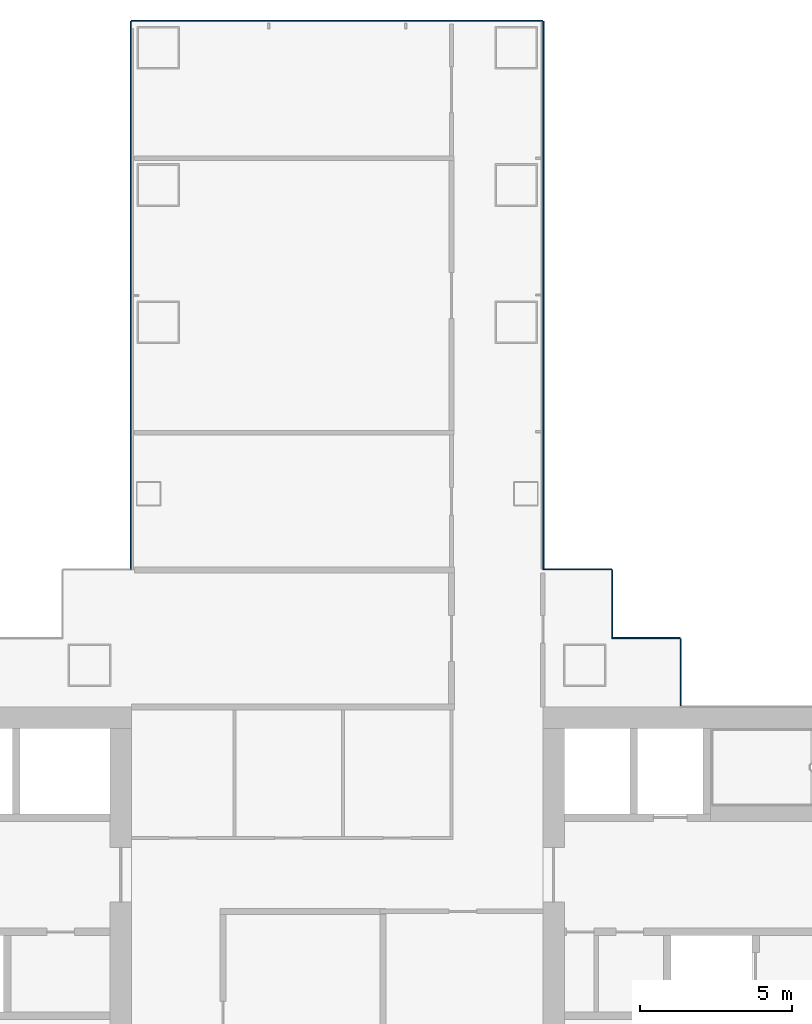
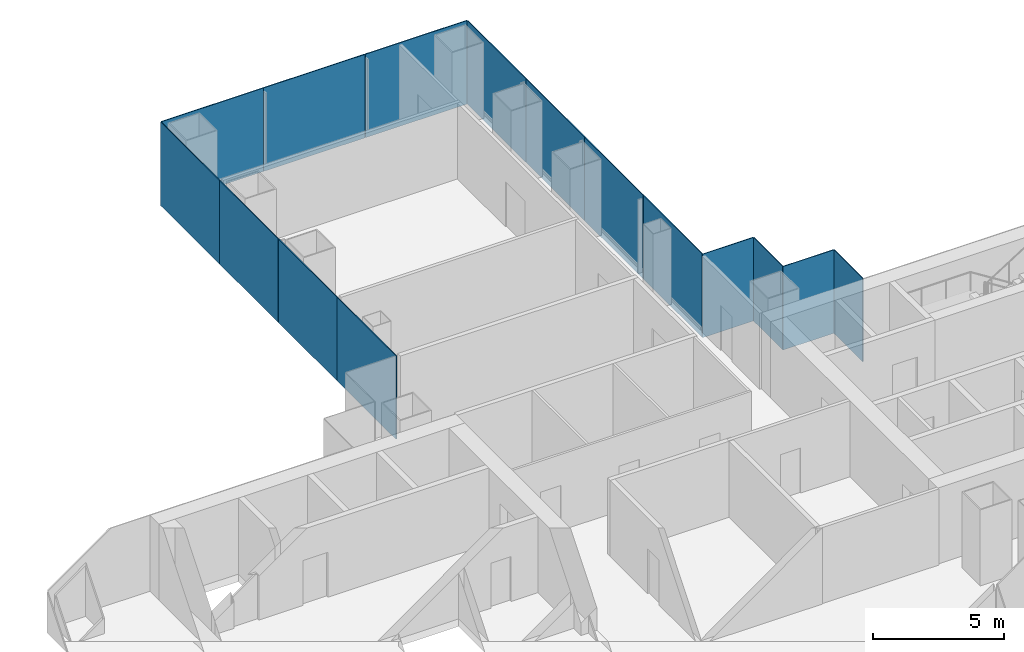
# One storey, part 12 of 21: 15 plates, 4 elements without a shape of their own.
"""IFC4 building model written with IfcOpenShell, lengths in metres."""

from ifc_helpers import new_model, si_unit, direction, frame, origin, origin_2d, place, context, subcontext, project, spatial, rectangle, extrude, material, layer, layer_set, type_object, element, aggregate, save


model = new_model("IFC4")

# Units and contexts
model_context = context("Model", 3, precision=1e-05, world=origin(), true_north=direction((0.0, 1.0)))
body_context = subcontext(model_context, "Body", "Model", "MODEL_VIEW")
ifc_project = project(units=[si_unit("LENGTHUNIT", "METRE"), si_unit("AREAUNIT", "SQUARE_METRE"), si_unit("VOLUMEUNIT", "CUBIC_METRE"), si_unit("PLANEANGLEUNIT", "RADIAN"), si_unit("MASSUNIT", "GRAM", prefix="KILO")], contexts=[model_context])

# Site, building, storey
site_placement = place(None, origin())
site = spatial("IfcSite", under=ifc_project, at=site_placement, CompositionType="ELEMENT")
building_placement = place(site_placement, origin())
building = spatial("IfcBuilding", under=site, at=building_placement, Name="Shamsa Quay Exchange Towers", CompositionType="ELEMENT")
storey_placement = place(building_placement, frame((0.0, 0.0, 45.89990234375)))
storey = spatial("IfcBuildingStorey", under=building, at=storey_placement, Name="L09", CompositionType="ELEMENT", Elevation=45.89990234375)

# Curtain wall, plates
ifc_material_1 = material(Name="Aluminium EN AW-6063 T6, black anodised", Category="aluminium")
ifc_layer_1 = layer(ifc_material_1, 0.280029296875)
ifc_layer_set_1 = layer_set([ifc_layer_1], Name="CW-1 UNITISED VISION GLASS")
curtain_wall_type_1 = type_object("IfcCurtainWallType", Name="CW-1 UNITISED VISION GLASS", PredefinedType="NOTDEFINED", material=ifc_layer_set_1)
curtain_wall_1_placement = place(storey_placement, origin())
curtain_wall_1 = element("IfcCurtainWall", 1, at=curtain_wall_1_placement, inside=storey, type_object=curtain_wall_type_1, Name="CW1 T2-FLK-U+S L09", PredefinedType="NOTDEFINED")
ifc_material_2 = material(Name="Glass, laminated, dark tinted", Category="glass")
ifc_layer_2 = layer(ifc_material_2, 0.0400390625)
ifc_layer_set_2 = layer_set([ifc_layer_2], Name="CW-1 VISION GLASS 40")
plate_type_1 = type_object("IfcPlateType", Name="CW-1 VISION GLASS 40", PredefinedType="CURTAIN_PANEL", material=ifc_layer_set_2)
plate_1_placement = place(storey_placement, frame((40.52001953125, 13.53076171875, -0.349853515625), z_axis=(0.0, 0.0, 1.0), x_axis=(0.0, 1.0, 0.0)))
plate_1 = element("IfcPlate", 2, at=plate_1_placement, type_object=plate_type_1, Name="CW1 glass panel", PredefinedType="CURTAIN_PANEL", context=body_context, shape_type="SweptSolid", body=[
    extrude(rectangle(XDim=4.485595703125, YDim=0.0400390625, at=origin_2d()), origin(), (0.0, 0.0, 1.0), 3.89990234375),
])
plate_2_placement = place(storey_placement, frame((40.52001953125, 18.023681640625, -0.349853515625), z_axis=(0.0, 0.0, 1.0), x_axis=(0.0, 1.0, 0.0)))
plate_2 = element("IfcPlate", 3, at=plate_2_placement, type_object=plate_type_1, Name="CW1 glass panel", PredefinedType="CURTAIN_PANEL", context=body_context, shape_type="SweptSolid", body=[
    extrude(rectangle(XDim=4.48046875, YDim=0.0400390625, at=origin_2d()), origin(), (0.0, 0.0, 1.0), 3.89990234375),
])
plate_3_placement = place(storey_placement, frame((40.52001953125, 22.51416015625, -0.349853515625), z_axis=(0.0, 0.0, 1.0), x_axis=(0.0, 1.0, 0.0)))
plate_3 = element("IfcPlate", 4, at=plate_3_placement, type_object=plate_type_1, Name="CW1 glass panel", PredefinedType="CURTAIN_PANEL", context=body_context, shape_type="SweptSolid", body=[
    extrude(rectangle(XDim=4.48046875, YDim=0.0400390625, at=origin_2d()), origin(), (0.0, 0.0, 1.0), 3.89990234375),
])
plate_4_placement = place(storey_placement, frame((40.52001953125, 27.00732421875, -0.349853515625), z_axis=(0.0, 0.0, 1.0), x_axis=(0.0, 1.0, 0.0)))
plate_4 = element("IfcPlate", 5, at=plate_4_placement, type_object=plate_type_1, Name="CW1 glass panel", PredefinedType="CURTAIN_PANEL", context=body_context, shape_type="SweptSolid", body=[
    extrude(rectangle(XDim=4.485595703125, YDim=0.0400390625, at=origin_2d()), origin(), (0.0, 0.0, 1.0), 3.89990234375),
])
aggregate(curtain_wall_1, [plate_1, plate_2, plate_3, plate_4])

curtain_wall_2_placement = place(storey_placement, origin())
curtain_wall_2 = element("IfcCurtainWall", 6, at=curtain_wall_2_placement, inside=storey, type_object=curtain_wall_type_1, Name="CW1 T2-END-U+ L09", PredefinedType="NOTDEFINED")
plate_5_placement = place(storey_placement, frame((38.25244140625, 29.27001953125, -0.349853515625), z_axis=(0.0, 0.0, 1.0), x_axis=(-1.0, 0.0, 0.0)))
plate_5 = element("IfcPlate", 7, at=plate_5_placement, type_object=plate_type_1, Name="CW1 glass panel", PredefinedType="CURTAIN_PANEL", context=body_context, shape_type="SweptSolid", body=[
    extrude(rectangle(XDim=4.4951171875, YDim=0.0400390625, at=origin_2d()), origin(), (0.0, 0.0, 1.0), 3.89990234375),
])
plate_6_placement = place(storey_placement, frame((33.75, 29.27001953125, -0.349853515625), z_axis=(0.0, 0.0, 1.0), x_axis=(-1.0, 0.0, 0.0)))
plate_6 = element("IfcPlate", 8, at=plate_6_placement, type_object=plate_type_1, Name="CW1 glass panel", PredefinedType="CURTAIN_PANEL", context=body_context, shape_type="SweptSolid", body=[
    extrude(rectangle(XDim=4.489990234375, YDim=0.0400390625, at=origin_2d()), origin(), (0.0, 0.0, 1.0), 3.89990234375),
])
plate_7_placement = place(storey_placement, frame((29.24755859375, 29.27001953125, -0.349853515625), z_axis=(0.0, 0.0, 1.0), x_axis=(-1.0, 0.0, 0.0)))
plate_7 = element("IfcPlate", 9, at=plate_7_placement, type_object=plate_type_1, Name="CW1 glass panel", PredefinedType="CURTAIN_PANEL", context=body_context, shape_type="SweptSolid", body=[
    extrude(rectangle(XDim=4.4951171875, YDim=0.0400390625, at=origin_2d()), origin(), (0.0, 0.0, 1.0), 3.89990234375),
])
aggregate(curtain_wall_2, [plate_5, plate_6, plate_7])

curtain_wall_3_placement = place(storey_placement, origin())
curtain_wall_3 = element("IfcCurtainWall", 10, at=curtain_wall_3_placement, inside=storey, type_object=curtain_wall_type_1, Name="CW1 T2-FLK-U+N L09", PredefinedType="NOTDEFINED")
plate_8_placement = place(storey_placement, frame((26.97998046875, 27.00244140625, -0.349853515625), z_axis=(0.0, 0.0, 1.0), x_axis=(0.0, -1.0, 0.0)))
plate_8 = element("IfcPlate", 11, at=plate_8_placement, type_object=plate_type_1, Name="CW1 glass panel", PredefinedType="CURTAIN_PANEL", context=body_context, shape_type="SweptSolid", body=[
    extrude(rectangle(XDim=4.4951171875, YDim=0.0400390625, at=origin_2d()), origin(), (0.0, 0.0, 1.0), 3.89990234375),
])
plate_9_placement = place(storey_placement, frame((26.97998046875, 22.5, -0.349853515625), z_axis=(0.0, 0.0, 1.0), x_axis=(0.0, -1.0, 0.0)))
plate_9 = element("IfcPlate", 12, at=plate_9_placement, type_object=plate_type_1, Name="CW1 glass panel", PredefinedType="CURTAIN_PANEL", context=body_context, shape_type="SweptSolid", body=[
    extrude(rectangle(XDim=4.489990234375, YDim=0.0400390625, at=origin_2d()), origin(), (0.0, 0.0, 1.0), 3.89990234375),
])
plate_10_placement = place(storey_placement, frame((26.97998046875, 18.0, -0.349853515625), z_axis=(0.0, 0.0, 1.0), x_axis=(0.0, -1.0, 0.0)))
plate_10 = element("IfcPlate", 13, at=plate_10_placement, type_object=plate_type_1, Name="CW1 glass panel", PredefinedType="CURTAIN_PANEL", context=body_context, shape_type="SweptSolid", body=[
    extrude(rectangle(XDim=4.489990234375, YDim=0.0400390625, at=origin_2d()), origin(), (0.0, 0.0, 1.0), 3.89990234375),
])
plate_11_placement = place(storey_placement, frame((26.97998046875, 13.49755859375, -0.349853515625), z_axis=(0.0, 0.0, 1.0), x_axis=(0.0, -1.0, 0.0)))
plate_11 = element("IfcPlate", 14, at=plate_11_placement, type_object=plate_type_1, Name="CW1 glass panel", PredefinedType="CURTAIN_PANEL", context=body_context, shape_type="SweptSolid", body=[
    extrude(rectangle(XDim=4.4951171875, YDim=0.0400390625, at=origin_2d()), origin(), (0.0, 0.0, 1.0), 3.89990234375),
])
aggregate(curtain_wall_3, [plate_8, plate_9, plate_10, plate_11])

ifc_layer_3 = layer(ifc_material_1, 0.256103515625)
ifc_layer_set_3 = layer_set([ifc_layer_3], Name="CW-4 POCKET SERRATED GLAZING")
curtain_wall_type_2 = type_object("IfcCurtainWallType", Name="CW-4 POCKET SERRATED GLAZING", PredefinedType="NOTDEFINED", material=ifc_layer_set_3)
curtain_wall_4_placement = place(storey_placement, origin())
curtain_wall_4 = element("IfcCurtainWall", 15, at=curtain_wall_4_placement, inside=storey, type_object=curtain_wall_type_2, Name="CW4 PKES L09", PredefinedType="NOTDEFINED")
ifc_layer_4 = layer(ifc_material_2, 0.035888671875)
ifc_layer_set_4 = layer_set([ifc_layer_4], Name="CW-4 POCKET GLASS 36")
plate_type_2 = type_object("IfcPlateType", Name="CW-4 POCKET GLASS 36", PredefinedType="CURTAIN_PANEL", material=ifc_layer_set_4)
plate_12_placement = place(storey_placement, frame((45.01806640625, 7.89794921875, -0.349853515625), z_axis=(0.0, 0.0, 1.0), x_axis=(0.0, 1.0, 0.0)))
plate_12 = element("IfcPlate", 16, at=plate_12_placement, type_object=plate_type_2, Name="CW4 glass panel", PredefinedType="CURTAIN_PANEL", context=body_context, shape_type="SweptSolid", body=[
    extrude(rectangle(XDim=2.2041015625, YDim=0.035888671875, at=origin_2d()), origin(), (0.0, 0.0, 1.0), 3.89990234375),
])
plate_13_placement = place(storey_placement, frame((43.875, 9.01806640625, -0.349853515625), z_axis=(0.0, 0.0, 1.0), x_axis=(-1.0, 0.0, 0.0)))
plate_13 = element("IfcPlate", 17, at=plate_13_placement, type_object=plate_type_2, Name="CW4 glass panel", PredefinedType="CURTAIN_PANEL", context=body_context, shape_type="SweptSolid", body=[
    extrude(rectangle(XDim=2.25, YDim=0.035888671875, at=origin_2d()), origin(), (0.0, 0.0, 1.0), 3.89990234375),
])
plate_14_placement = place(storey_placement, frame((42.76806640625, 10.14404296875, -0.349853515625), z_axis=(0.0, 0.0, 1.0), x_axis=(0.0, 1.0, 0.0)))
plate_14 = element("IfcPlate", 18, at=plate_14_placement, type_object=plate_type_2, Name="CW4 glass panel", PredefinedType="CURTAIN_PANEL", context=body_context, shape_type="SweptSolid", body=[
    extrude(rectangle(XDim=2.2119140625, YDim=0.035888671875, at=origin_2d()), origin(), (0.0, 0.0, 1.0), 3.89990234375),
])
plate_15_placement = place(storey_placement, frame((41.625, 11.26806640625, -0.349853515625), z_axis=(0.0, 0.0, 1.0), x_axis=(-1.0, 0.0, 0.0)))
plate_15 = element("IfcPlate", 19, at=plate_15_placement, type_object=plate_type_2, Name="CW4 glass panel", PredefinedType="CURTAIN_PANEL", context=body_context, shape_type="SweptSolid", body=[
    extrude(rectangle(XDim=2.25, YDim=0.035888671875, at=origin_2d()), origin(), (0.0, 0.0, 1.0), 3.89990234375),
])
aggregate(curtain_wall_4, [plate_12, plate_13, plate_14, plate_15])

save(model, "model.ifc")
